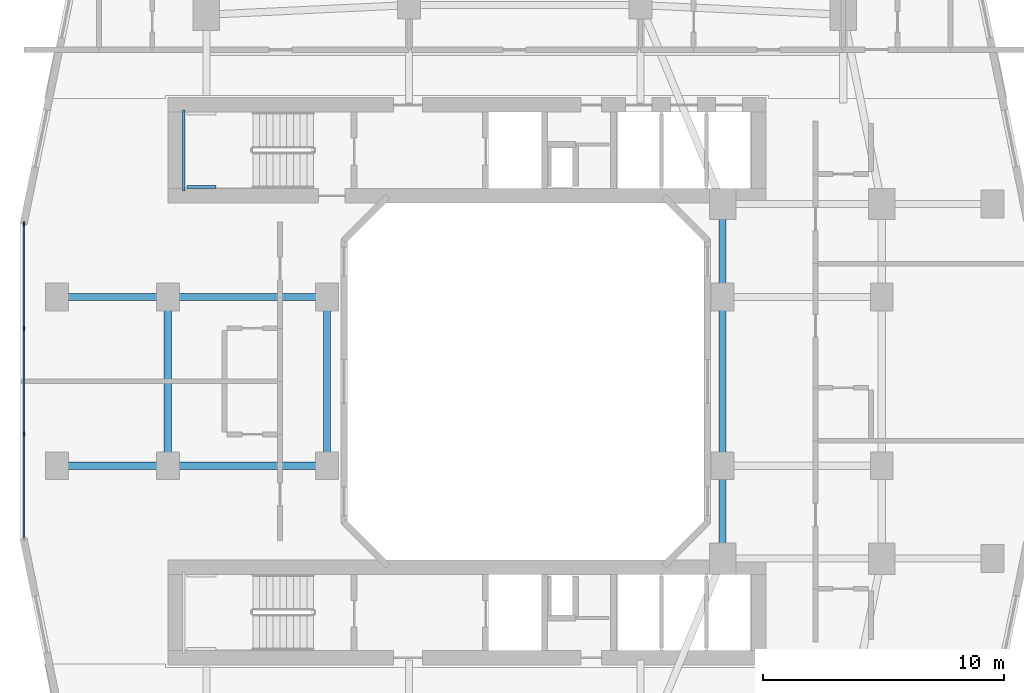
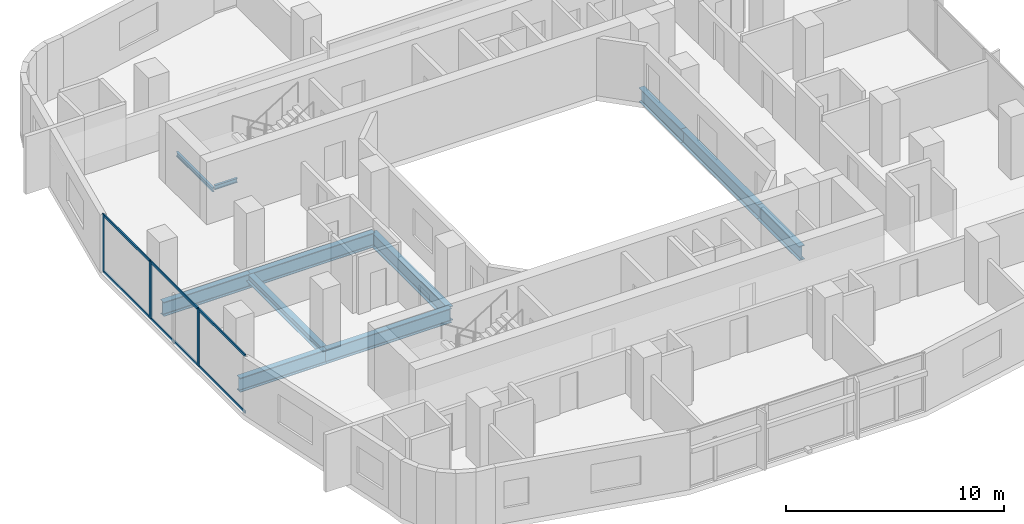
# One storey, part 3 of 27: 11 beams, 9 members, 1 element without a shape of its own.
"""IFC4 building model written with IfcOpenShell, lengths in metres."""

from ifc_helpers import new_model, si_unit, derived_unit, direction, frame, origin, origin_2d, place, context, subcontext, project, spatial, rectangle, i_section, extrude, material, layer, layer_set, material_profile, profile_set, type_object, element, aggregate, save


model = new_model("IFC4")

# Units and contexts
model_context = context("Model", 3, precision=1e-05, world=origin(), true_north=direction((0.0, 1.0)))
body_context = subcontext(model_context, "Body", "Model", "MODEL_VIEW")
ifc_project = project(units=[si_unit("LENGTHUNIT", "METRE"), si_unit("AREAUNIT", "SQUARE_METRE"), si_unit("VOLUMEUNIT", "CUBIC_METRE"), si_unit("PLANEANGLEUNIT", "RADIAN"), si_unit("MASSUNIT", "GRAM", prefix="KILO"), derived_unit("THERMALTRANSMITTANCEUNIT", [(si_unit("POWERUNIT", "WATT"), 1), (si_unit("LENGTHUNIT", "METRE"), -2), (si_unit("THERMODYNAMICTEMPERATUREUNIT", "KELVIN"), -1)])], contexts=[model_context])

# Site, building, storey
site_placement = place(None, origin())
site = spatial("IfcSite", under=ifc_project, at=site_placement, CompositionType="ELEMENT")
building_placement = place(site_placement, origin())
building = spatial("IfcBuilding", under=site, at=building_placement, Name="Kivonza Crest Hotel", CompositionType="ELEMENT")
storey_placement = place(building_placement, frame((0.0, 0.0, 31.0)))
storey = spatial("IfcBuildingStorey", under=building, at=storey_placement, Name="L07", CompositionType="ELEMENT", Elevation=31.0)

# Beams
ifc_material_1 = material(Name="Steel S355", Category="steel")
ifc_material_profile_1 = material_profile(ifc_material_1, i_section(OverallWidth=0.300048828125, OverallDepth=0.449951171875, WebThickness=0.013916015625, FlangeThickness=0.02587890625, FilletRadius=0.027099609375, at=origin_2d()), Name="HEB 450")
ifc_profile_set_1 = profile_set([ifc_material_profile_1], Name="Steel S355")
beam_type_1 = type_object("IfcBeamType", Name="BM-HEB450", PredefinedType="SPANDREL", material=ifc_profile_set_1)
beam_1_placement = place(storey_placement, frame((6.199951171875, 28.5, -0.5048828125), z_axis=(0.0, -1.0, 0.0), x_axis=(1.0, 0.0, 0.0)))
element("IfcBeam", 1, at=beam_1_placement, inside=storey, type_object=beam_type_1, Name="Tower T1 L07 perimeter spandrel W2-W1", PredefinedType="SPANDREL", context=body_context, shape_type="SweptSolid", body=[
    extrude(i_section(OverallWidth=0.300048828125, OverallDepth=0.449951171875, WebThickness=0.013916015625, FlangeThickness=0.02587890625, FilletRadius=0.027099609375, at=origin_2d()), origin(), (0.0, 0.0, 1.0), 7.0),
])
ifc_material_profile_2 = material_profile(ifc_material_1, i_section(OverallWidth=0.300048828125, OverallDepth=0.800048828125, WebThickness=0.017578125, FlangeThickness=0.032958984375, FilletRadius=0.030029296875, at=origin_2d()), Name="HEB 800")
ifc_profile_set_2 = profile_set([ifc_material_profile_2], Name="Steel S355")
beam_type_2 = type_object("IfcBeamType", Name="BM-HEB800", PredefinedType="BEAM", material=ifc_profile_set_2)
for number, where, z_axis, x_axis, name in (
    (2, (6.199951171875, 21.5, -0.679931640625), (1.0, 0.0, 0.0), (0.0, 1.0, 0.0), "Tower T1 L07 primary girder W1-WL1"),
    (3, (6.199951171875, 28.5, -0.679931640625), (1.0, 0.0, 0.0), (0.0, 1.0, 0.0), "Tower T1 L07 primary girder W2-WL2"),
):
    element("IfcBeam", number, at=place(storey_placement, frame(where, z_axis=z_axis, x_axis=x_axis)), inside=storey, type_object=beam_type_2, Name=name, PredefinedType="BEAM", context=body_context, shape_type="SweptSolid", body=[
        extrude(i_section(OverallWidth=0.300048828125, OverallDepth=0.800048828125, WebThickness=0.017578125, FlangeThickness=0.032958984375, FilletRadius=0.030029296875, at=origin_2d()), origin(), (0.0, 0.0, 1.0), 6.60009765625),
    ])
for number, where, z_axis, x_axis, name in (
    (4, (12.800048828125, 21.5, -0.679931640625), (0.0, 1.0, 0.0), (-1.0, 0.0, 0.0), "Tower T1 L07 primary girder WL1-WL2"),
    (5, (29.199951171875, 21.5, -0.679931640625), (0.0, 1.0, 0.0), (-1.0, 0.0, 0.0), "Tower T1 L07 primary girder WR1-WR2"),
):
    element("IfcBeam", number, at=place(storey_placement, frame(where, z_axis=z_axis, x_axis=x_axis)), inside=storey, type_object=beam_type_2, Name=name, PredefinedType="BEAM", context=body_context, shape_type="SweptSolid", body=[
        extrude(i_section(OverallWidth=0.300048828125, OverallDepth=0.800048828125, WebThickness=0.017578125, FlangeThickness=0.032958984375, FilletRadius=0.030029296875, at=origin_2d()), origin(), (0.0, 0.0, 1.0), 7.0),
    ])
for number, where, z_axis, x_axis, name in (
    (6, (29.199951171875, 17.64990234375, -0.679931640625), (0.0, 1.0, 0.0), (-1.0, 0.0, 0.0), "Tower T1 L07 primary girder TSE-WR1"),
    (7, (29.199951171875, 28.5, -0.679931640625), (0.0, 1.0, 0.0), (-1.0, 0.0, 0.0), "Tower T1 L07 primary girder WR2-TNE"),
):
    element("IfcBeam", number, at=place(storey_placement, frame(where, z_axis=z_axis, x_axis=x_axis)), inside=storey, type_object=beam_type_2, Name=name, PredefinedType="BEAM", context=body_context, shape_type="SweptSolid", body=[
        extrude(i_section(OverallWidth=0.300048828125, OverallDepth=0.800048828125, WebThickness=0.017578125, FlangeThickness=0.032958984375, FilletRadius=0.030029296875, at=origin_2d()), origin(), (0.0, 0.0, 1.0), 3.85009765625),
    ])
for number, where, z_axis, x_axis, name in (
    (8, (1.60009765625, 21.5, -0.679931640625), (1.0, 0.0, 0.0), (0.0, 1.0, 0.0), "Tower T1 L07 outer bay girder ZW1"),
    (9, (1.60009765625, 28.5, -0.679931640625), (1.0, 0.0, 0.0), (0.0, 1.0, 0.0), "Tower T1 L07 outer bay girder ZW2"),
):
    element("IfcBeam", number, at=place(storey_placement, frame(where, z_axis=z_axis, x_axis=x_axis)), inside=storey, type_object=beam_type_2, Name=name, PredefinedType="BEAM", context=body_context, shape_type="SweptSolid", body=[
        extrude(i_section(OverallWidth=0.300048828125, OverallDepth=0.800048828125, WebThickness=0.017578125, FlangeThickness=0.032958984375, FilletRadius=0.030029296875, at=origin_2d()), origin(), (0.0, 0.0, 1.0), 4.599853515625),
    ])
ifc_material_profile_3 = material_profile(ifc_material_1, i_section(OverallWidth=0.1201171875, OverallDepth=0.239990234375, WebThickness=0.006103515625, FlangeThickness=0.009765625, FilletRadius=0.014892578125, at=origin_2d()), Name="IPE 240")
ifc_profile_set_3 = profile_set([ifc_material_profile_3], Name="Steel S355")
beam_type_3 = type_object("IfcBeamType", Name="BM-LLDG-240", PredefinedType="BEAM", material=ifc_profile_set_3)
beam_2_placement = place(storey_placement, frame((6.860107421875, 32.89990234375, 1.429931640625), z_axis=(0.0, 1.0, 0.0), x_axis=(-1.0, 0.0, 0.0)))
element("IfcBeam", 10, at=beam_2_placement, inside=storey, type_object=beam_type_3, Name="Stair ST-T1-N L07 West landing corbel", PredefinedType="BEAM", context=body_context, shape_type="SweptSolid", body=[
    extrude(i_section(OverallWidth=0.1201171875, OverallDepth=0.239990234375, WebThickness=0.006103515625, FlangeThickness=0.009765625, FilletRadius=0.014892578125, at=origin_2d()), origin(), (0.0, 0.0, 1.0), 3.360107421875),
])
beam_3_placement = place(storey_placement, frame((6.989990234375, 33.06005859375, 1.429931640625), z_axis=(1.0, 0.0, 0.0), x_axis=(0.0, 1.0, 0.0)))
element("IfcBeam", 11, at=beam_3_placement, inside=storey, type_object=beam_type_3, Name="Stair ST-T1-N L07 South landing corbel", PredefinedType="BEAM", context=body_context, shape_type="SweptSolid", body=[
    extrude(i_section(OverallWidth=0.1201171875, OverallDepth=0.239990234375, WebThickness=0.006103515625, FlangeThickness=0.009765625, FilletRadius=0.014892578125, at=origin_2d()), origin(), (0.0, 0.0, 1.0), 1.2099609375),
])

# Curtain wall, members
ifc_material_2 = material(Name="Anodised bronze aluminium and low-E double glazing", Category="aluminium")
ifc_layer = layer(ifc_material_2, 0.179931640625)
ifc_layer_set = layer_set([ifc_layer], Name="Anodised bronze aluminium and low-E double glazing")
curtain_wall_type = type_object("IfcCurtainWallType", Name="CW-SYS-2", PredefinedType="NOTDEFINED", material=ifc_layer_set)
curtain_wall_placement = place(storey_placement, origin())
curtain_wall = element("IfcCurtainWall", 12, at=curtain_wall_placement, inside=storey, type_object=curtain_wall_type, Name="L07 unitised curtain wall CW-T1-L07-35", PredefinedType="NOTDEFINED")
ifc_material_3 = material(Name="Anodised bronze aluminium", Category="aluminium")
ifc_material_profile_4 = material_profile(ifc_material_3, rectangle(XDim=0.06494140625, YDim=0.179931640625, at=origin_2d()), Name="CW-M 65x180")
ifc_profile_set_4 = profile_set([ifc_material_profile_4], Name="Anodised bronze aluminium")
member_type_1 = type_object("IfcMemberType", Name="CW-MUL-65x180", PredefinedType="MULLION", material=ifc_profile_set_4)
member_1_placement = place(storey_placement, frame((0.239990234375, 31.527587890625, 0.0), z_axis=(0.0, 0.0, 1.0), x_axis=(1.0, 0.0, 0.0)))
member_1 = element("IfcMember", 13, at=member_1_placement, type_object=member_type_1, Name="CW-2 mullion 1", PredefinedType="MULLION", context=body_context, shape_type="SweptSolid", body=[
    extrude(rectangle(XDim=0.06494140625, YDim=0.179931640625, at=origin_2d()), origin(), (0.0, 0.0, 1.0), 3.219970703125),
])
member_2_placement = place(storey_placement, frame((0.239990234375, 27.186767578125, 0.0), z_axis=(0.0, 0.0, 1.0), x_axis=(1.0, 0.0, 0.0)))
member_2 = element("IfcMember", 14, at=member_2_placement, type_object=member_type_1, Name="CW-2 mullion 2", PredefinedType="MULLION", context=body_context, shape_type="SweptSolid", body=[
    extrude(rectangle(XDim=0.06494140625, YDim=0.179931640625, at=origin_2d()), origin(), (0.0, 0.0, 1.0), 3.219970703125),
])
member_3_placement = place(storey_placement, frame((0.239990234375, 22.813232421875, 0.0), z_axis=(0.0, 0.0, 1.0), x_axis=(1.0, 0.0, 0.0)))
member_3 = element("IfcMember", 15, at=member_3_placement, type_object=member_type_1, Name="CW-2 mullion 3", PredefinedType="MULLION", context=body_context, shape_type="SweptSolid", body=[
    extrude(rectangle(XDim=0.06494140625, YDim=0.179931640625, at=origin_2d()), origin(), (0.0, 0.0, 1.0), 3.219970703125),
])
ifc_material_profile_5 = material_profile(ifc_material_3, rectangle(XDim=0.06494140625, YDim=0.139892578125, at=origin_2d()), Name="CW-T 65x140")
ifc_profile_set_5 = profile_set([ifc_material_profile_5], Name="Anodised bronze aluminium")
member_type_2 = type_object("IfcMemberType", Name="CW-TRN-65x140", PredefinedType="USERDEFINED", material=ifc_profile_set_5)
member_4_placement = place(storey_placement, frame((0.239990234375, 31.4951171875, 0.032470703125), z_axis=(0.0, -1.0, 0.0), x_axis=(1.0, 0.0, 0.0)))
member_4 = element("IfcMember", 16, at=member_4_placement, type_object=member_type_2, Name="CW-2 transom 1.1", ObjectType="TRANSOM", PredefinedType="USERDEFINED", context=body_context, shape_type="SweptSolid", body=[
    extrude(rectangle(XDim=0.06494140625, YDim=0.139892578125, at=origin_2d()), origin(), (0.0, 0.0, 1.0), 4.27587890625),
])
member_5_placement = place(storey_placement, frame((0.239990234375, 31.4951171875, 3.1875), z_axis=(0.0, -1.0, 0.0), x_axis=(1.0, 0.0, 0.0)))
member_5 = element("IfcMember", 17, at=member_5_placement, type_object=member_type_2, Name="CW-2 transom 1.2", ObjectType="TRANSOM", PredefinedType="USERDEFINED", context=body_context, shape_type="SweptSolid", body=[
    extrude(rectangle(XDim=0.06494140625, YDim=0.139892578125, at=origin_2d()), origin(), (0.0, 0.0, 1.0), 4.27587890625),
])
member_6_placement = place(storey_placement, frame((0.239990234375, 27.154052734375, 0.032470703125), z_axis=(0.0, -1.0, 0.0), x_axis=(1.0, 0.0, 0.0)))
member_6 = element("IfcMember", 18, at=member_6_placement, type_object=member_type_2, Name="CW-2 transom 2.1", ObjectType="TRANSOM", PredefinedType="USERDEFINED", context=body_context, shape_type="SweptSolid", body=[
    extrude(rectangle(XDim=0.06494140625, YDim=0.139892578125, at=origin_2d()), origin(), (0.0, 0.0, 1.0), 4.30810546875),
])
member_7_placement = place(storey_placement, frame((0.239990234375, 27.154052734375, 3.1875), z_axis=(0.0, -1.0, 0.0), x_axis=(1.0, 0.0, 0.0)))
member_7 = element("IfcMember", 19, at=member_7_placement, type_object=member_type_2, Name="CW-2 transom 2.2", ObjectType="TRANSOM", PredefinedType="USERDEFINED", context=body_context, shape_type="SweptSolid", body=[
    extrude(rectangle(XDim=0.06494140625, YDim=0.139892578125, at=origin_2d()), origin(), (0.0, 0.0, 1.0), 4.30810546875),
])
member_8_placement = place(storey_placement, frame((0.239990234375, 22.78076171875, 0.032470703125), z_axis=(0.0, -1.0, 0.0), x_axis=(1.0, 0.0, 0.0)))
member_8 = element("IfcMember", 20, at=member_8_placement, type_object=member_type_2, Name="CW-2 transom 3.1", ObjectType="TRANSOM", PredefinedType="USERDEFINED", context=body_context, shape_type="SweptSolid", body=[
    extrude(rectangle(XDim=0.06494140625, YDim=0.139892578125, at=origin_2d()), origin(), (0.0, 0.0, 1.0), 4.27587890625),
])
member_9_placement = place(storey_placement, frame((0.239990234375, 22.78076171875, 3.1875), z_axis=(0.0, -1.0, 0.0), x_axis=(1.0, 0.0, 0.0)))
member_9 = element("IfcMember", 21, at=member_9_placement, type_object=member_type_2, Name="CW-2 transom 3.2", ObjectType="TRANSOM", PredefinedType="USERDEFINED", context=body_context, shape_type="SweptSolid", body=[
    extrude(rectangle(XDim=0.06494140625, YDim=0.139892578125, at=origin_2d()), origin(), (0.0, 0.0, 1.0), 4.27587890625),
])
aggregate(curtain_wall, [member_1, member_2, member_3, member_4, member_5, member_6, member_7, member_8, member_9])

save(model, "model.ifc")
